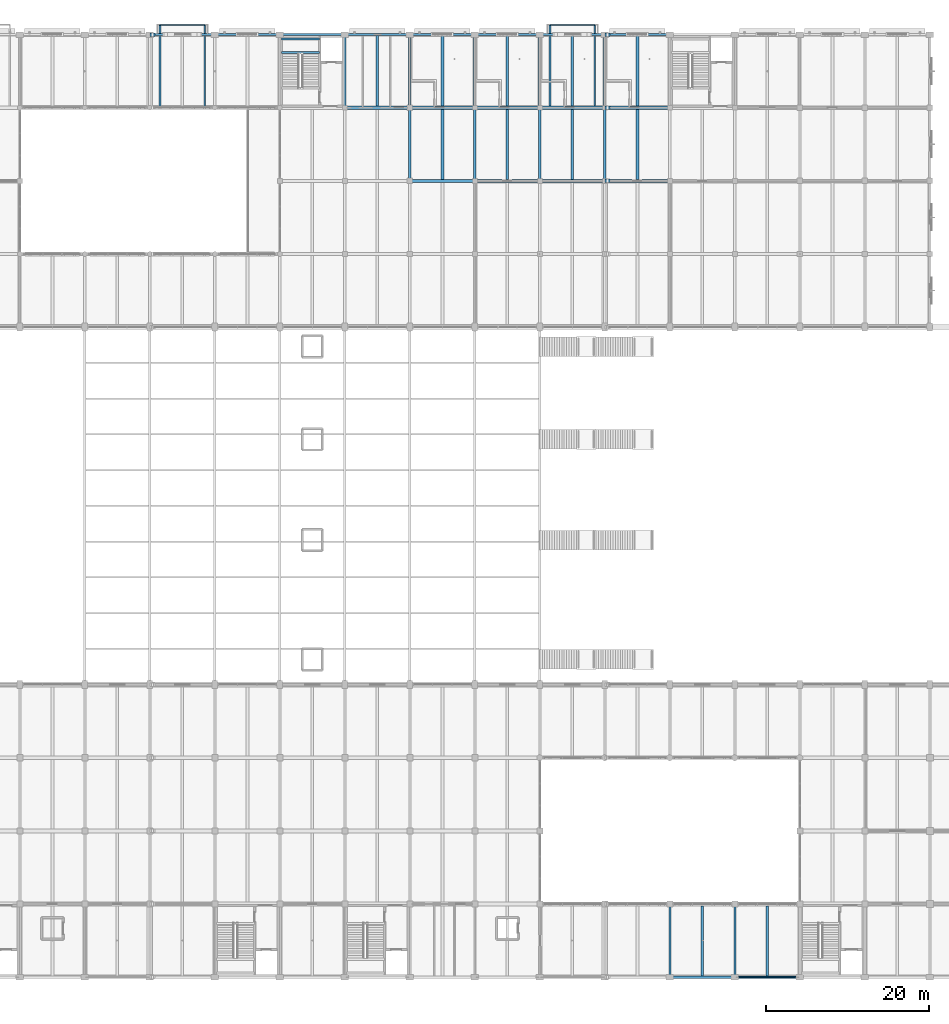
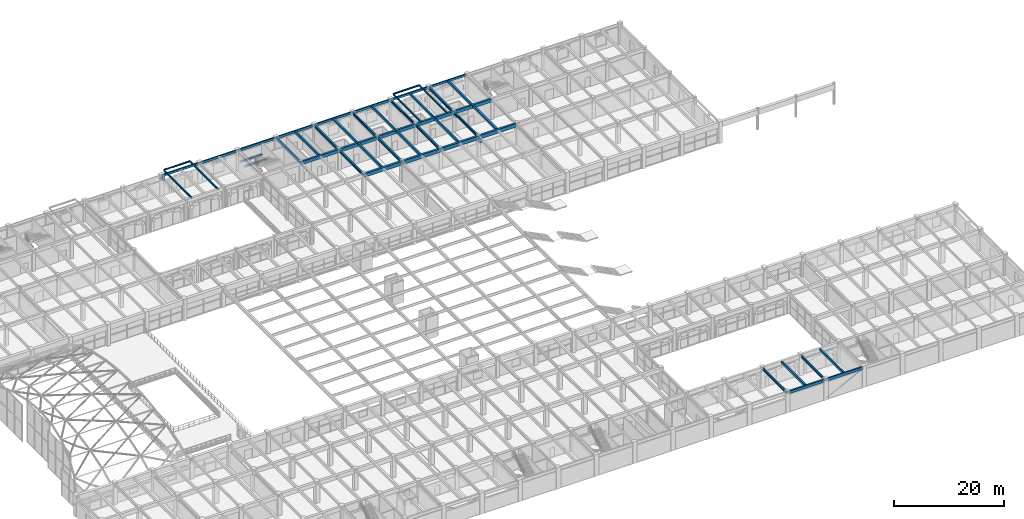
# One storey, part 72 of 144: 53 beams, 1 member.
"""IFC4 building model written with IfcOpenShell, lengths in metres."""

from ifc_helpers import new_model, si_unit, direction, frame, origin, origin_2d, place, context, subcontext, project, spatial, rectangle, hollow_circle, i_section, extrude, material, material_profile, profile_set, type_object, element, save


model = new_model("IFC4")

# Units and contexts
model_context = context("Model", 3, precision=1e-05, world=origin(), true_north=direction((0.0, 1.0)))
body_context = subcontext(model_context, "Body", "Model", "MODEL_VIEW")
ifc_project = project(units=[si_unit("LENGTHUNIT", "METRE"), si_unit("AREAUNIT", "SQUARE_METRE"), si_unit("VOLUMEUNIT", "CUBIC_METRE"), si_unit("PLANEANGLEUNIT", "RADIAN"), si_unit("MASSUNIT", "GRAM", prefix="KILO")], contexts=[model_context])

# Site, building, storey
site_placement = place(None, origin())
site = spatial("IfcSite", under=ifc_project, at=site_placement, CompositionType="ELEMENT")
building_placement = place(site_placement, origin())
building = spatial("IfcBuilding", under=site, at=building_placement, Name="Varnabhumi Central Station", CompositionType="ELEMENT")
storey_placement = place(building_placement, frame((0.0, 0.0, 4.800048828125)))
storey = spatial("IfcBuildingStorey", under=building, at=storey_placement, Name="L01", CompositionType="ELEMENT", Elevation=4.800048828125)

# Beams
ifc_material_1 = material(Name="Structural steel E350", Category="steel")
ifc_material_profile_1 = material_profile(ifc_material_1, i_section(OverallWidth=0.125, OverallDepth=0.25, WebThickness=0.0068359375, FlangeThickness=0.012451171875, FilletRadius=0.012939453125, at=origin_2d()), Name="Structural steel E350", Category="steel")
ifc_profile_set_1 = profile_set([ifc_material_profile_1], Name="Structural steel E350")
beam_type_1 = type_object("IfcBeamType", Name="BM-PUR-ISMB250", PredefinedType="JOIST", material=ifc_profile_set_1)
for number, where, z_axis, x_axis, name in (
    (1, (65.25, 117.219970703125, 4.425048828125), (1.0, 0.0, 0.0), (0.0, 1.0, 0.0), "Spanish Balcony Fascia Beam L02-10"),
    (2, (113.25, 117.219970703125, 4.425048828125), (1.0, 0.0, 0.0), (0.0, 1.0, 0.0), "Spanish Balcony Fascia Beam L02-11"),
):
    element("IfcBeam", number, at=place(storey_placement, frame(where, z_axis=z_axis, x_axis=x_axis)), inside=storey, type_object=beam_type_1, Name=name, PredefinedType="JOIST", context=body_context, shape_type="SweptSolid", body=[
        extrude(i_section(OverallWidth=0.125, OverallDepth=0.25, WebThickness=0.0068359375, FlangeThickness=0.012451171875, FilletRadius=0.012939453125, at=origin_2d()), origin(), (0.0, 0.0, 1.0), 5.5),
    ])
ifc_material_2 = material(Name="Concrete M35", Category="concrete")
ifc_material_profile_2 = material_profile(ifc_material_2, rectangle(XDim=0.25, YDim=0.35009765625, at=origin_2d()), Name="Concrete M35", Category="concrete")
ifc_profile_set_2 = profile_set([ifc_material_profile_2], Name="Concrete M35")
beam_type_2 = type_object("IfcBeamType", Name="BM-RC-250x350", PredefinedType="LINTEL", material=ifc_profile_set_2)
for number, where, z_axis, x_axis, name in (
    (3, (80.179931640625, 113.794921875, 2.044921875), (1.0, 0.0, 0.0), (0.0, 1.0, 0.0), "ST-N2 L01 Half Landing Support Beam 1"),
    (4, (80.179931640625, 115.4599609375, 2.044921875), (1.0, 0.0, 0.0), (0.0, 1.0, 0.0), "ST-N2 L01 Half Landing Support Beam 2"),
):
    element("IfcBeam", number, at=place(storey_placement, frame(where, z_axis=z_axis, x_axis=x_axis)), inside=storey, type_object=beam_type_2, Name=name, PredefinedType="LINTEL", context=body_context, shape_type="SweptSolid", body=[
        extrude(rectangle(XDim=0.25, YDim=0.35009765625, at=origin_2d()), origin(), (0.0, 0.0, 1.0), 4.719970703125),
    ])
ifc_material_3 = material(Name="Concrete M40", Category="concrete")
ifc_material_profile_3 = material_profile(ifc_material_3, rectangle(XDim=0.25, YDim=0.5, at=origin_2d()), Name="Concrete M40", Category="concrete")
ifc_profile_set_3 = profile_set([ifc_material_profile_3], Name="Concrete M40")
beam_type_3 = type_object("IfcBeamType", Name="BM-RC-250x500", PredefinedType="SPANDREL", material=ifc_profile_set_3)
for number, where, z_axis, x_axis, name in (
    (5, (64.10009765625, 116.0, 4.300048828125), (1.0, 0.0, 0.0), (0.0, 1.0, 0.0), "Beam L01-P:9-10"),
    (6, (72.10009765625, 116.0, 4.300048828125), (1.0, 0.0, 0.0), (0.0, 1.0, 0.0), "Beam L01-P:10-11"),
    (7, (80.10009765625, 116.0, 4.300048828125), (1.0, 0.0, 0.0), (0.0, 1.0, 0.0), "Beam L01-P:11-12"),
    (8, (88.10009765625, 116.0, 4.300048828125), (1.0, 0.0, 0.0), (0.0, 1.0, 0.0), "Beam L01-P:12-13"),
    (9, (96.10009765625, 116.0, 4.300048828125), (1.0, 0.0, 0.0), (0.0, 1.0, 0.0), "Beam L01-P:13-14"),
    (10, (104.10009765625, 116.0, 4.300048828125), (1.0, 0.0, 0.0), (0.0, 1.0, 0.0), "Beam L01-P:14-15"),
    (11, (112.10009765625, 116.0, 4.300048828125), (1.0, 0.0, 0.0), (0.0, 1.0, 0.0), "Beam L01-P:15-16"),
    (12, (120.10009765625, 116.0, 4.300048828125), (1.0, 0.0, 0.0), (0.0, 1.0, 0.0), "Beam L01-P:16-17"),
):
    element("IfcBeam", number, at=place(storey_placement, frame(where, z_axis=z_axis, x_axis=x_axis)), inside=storey, type_object=beam_type_3, Name=name, PredefinedType="SPANDREL", context=body_context, shape_type="SweptSolid", body=[
        extrude(rectangle(XDim=0.25, YDim=0.5, at=origin_2d()), origin(), (0.0, 0.0, 1.0), 7.7998046875),
    ])
ifc_material_profile_4 = material_profile(ifc_material_3, rectangle(XDim=0.300048828125, YDim=0.5, at=origin_2d()), Name="Concrete M40", Category="concrete")
ifc_profile_set_4 = profile_set([ifc_material_profile_4], Name="Concrete M40")
beam_type_4 = type_object("IfcBeamType", Name="BM-RC-300x500", PredefinedType="JOIST", material=ifc_profile_set_4)
beam_1_placement = place(storey_placement, frame((140.0, 0.14990234375, 4.300048828125), z_axis=(0.0, 1.0, 0.0), x_axis=(-1.0, 0.0, 0.0)))
element("IfcBeam", 13, at=beam_1_placement, inside=storey, type_object=beam_type_4, Name="Secondary Joist L01-18/19:A-B", PredefinedType="JOIST", context=body_context, shape_type="SweptSolid", body=[
    extrude(rectangle(XDim=0.300048828125, YDim=0.5, at=origin_2d()), origin(), (0.0, 0.0, 1.0), 8.625),
])
beam_2_placement = place(storey_placement, frame((116.0, 98.199951171875, 4.300048828125), z_axis=(0.0, 1.0, 0.0), x_axis=(-1.0, 0.0, 0.0)))
element("IfcBeam", 14, at=beam_2_placement, inside=storey, type_object=beam_type_4, Name="Secondary Joist L01-15/16:M-N", PredefinedType="JOIST", context=body_context, shape_type="SweptSolid", body=[
    extrude(rectangle(XDim=0.300048828125, YDim=0.5, at=origin_2d()), origin(), (0.0, 0.0, 1.0), 8.60009765625),
])
for number, where, z_axis, x_axis, name in (
    (15, (92.0, 107.199951171875, 4.300048828125), (0.0, 1.0, 0.0), (-1.0, 0.0, 0.0), "Secondary Joist L01-12/13:N-P"),
    (16, (116.0, 107.199951171875, 4.300048828125), (0.0, 1.0, 0.0), (-1.0, 0.0, 0.0), "Secondary Joist L01-15/16:N-P"),
):
    element("IfcBeam", number, at=place(storey_placement, frame(where, z_axis=z_axis, x_axis=x_axis)), inside=storey, type_object=beam_type_4, Name=name, PredefinedType="JOIST", context=body_context, shape_type="SweptSolid", body=[
        extrude(rectangle(XDim=0.300048828125, YDim=0.5, at=origin_2d()), origin(), (0.0, 0.0, 1.0), 8.675048828125),
    ])
ifc_material_profile_5 = material_profile(ifc_material_3, rectangle(XDim=0.300048828125, YDim=0.550048828125, at=origin_2d()), Name="Concrete M40", Category="concrete")
ifc_profile_set_5 = profile_set([ifc_material_profile_5], Name="Concrete M40")
beam_type_5 = type_object("IfcBeamType", Name="BM-RC-300x550", PredefinedType="JOIST", material=ifc_profile_set_5)
beam_3_placement = place(storey_placement, frame((132.0, 0.14990234375, 4.27490234375), z_axis=(0.0, 1.0, 0.0), x_axis=(-1.0, 0.0, 0.0)))
element("IfcBeam", 17, at=beam_3_placement, inside=storey, type_object=beam_type_5, Name="Secondary Joist L01-17/18:A-B", PredefinedType="JOIST", context=body_context, shape_type="SweptSolid", body=[
    extrude(rectangle(XDim=0.300048828125, YDim=0.550048828125, at=origin_2d()), origin(), (0.0, 0.0, 1.0), 8.625),
])
beam_4_placement = place(storey_placement, frame((108.0, 98.199951171875, 4.27490234375), z_axis=(0.0, 1.0, 0.0), x_axis=(-1.0, 0.0, 0.0)))
element("IfcBeam", 18, at=beam_4_placement, inside=storey, type_object=beam_type_5, Name="Secondary Joist L01-14/15:M-N", PredefinedType="JOIST", context=body_context, shape_type="SweptSolid", body=[
    extrude(rectangle(XDim=0.300048828125, YDim=0.550048828125, at=origin_2d()), origin(), (0.0, 0.0, 1.0), 8.60009765625),
])
beam_5_placement = place(storey_placement, frame((108.0, 107.199951171875, 4.27490234375), z_axis=(0.0, 1.0, 0.0), x_axis=(-1.0, 0.0, 0.0)))
element("IfcBeam", 19, at=beam_5_placement, inside=storey, type_object=beam_type_5, Name="Secondary Joist L01-14/15:N-P", PredefinedType="JOIST", context=body_context, shape_type="SweptSolid", body=[
    extrude(rectangle(XDim=0.300048828125, YDim=0.550048828125, at=origin_2d()), origin(), (0.0, 0.0, 1.0), 8.675048828125),
])
ifc_material_profile_6 = material_profile(ifc_material_3, rectangle(XDim=0.300048828125, YDim=0.60009765625, at=origin_2d()), Name="Concrete M40", Category="concrete")
ifc_profile_set_6 = profile_set([ifc_material_profile_6], Name="Concrete M40")
beam_type_6 = type_object("IfcBeamType", Name="BM-RC-300x600", PredefinedType="SPANDREL", material=ifc_profile_set_6)
for number, where, z_axis, x_axis, name in (
    (20, (128.10009765625, 0.0, 4.25), (1.0, 0.0, 0.0), (0.0, 1.0, 0.0), "Beam L01-A:17-18"),
    (21, (136.10009765625, 0.0, 4.25), (1.0, 0.0, 0.0), (0.0, 1.0, 0.0), "Beam L01-A:18-19"),
):
    element("IfcBeam", number, at=place(storey_placement, frame(where, z_axis=z_axis, x_axis=x_axis)), inside=storey, type_object=beam_type_6, Name=name, PredefinedType="SPANDREL", context=body_context, shape_type="SweptSolid", body=[
        extrude(rectangle(XDim=0.300048828125, YDim=0.60009765625, at=origin_2d()), origin(), (0.0, 0.0, 1.0), 7.7998046875),
    ])
ifc_material_profile_7 = material_profile(ifc_material_3, rectangle(XDim=0.35009765625, YDim=0.5, at=origin_2d()), Name="Concrete M40", Category="concrete")
ifc_profile_set_7 = profile_set([ifc_material_profile_7], Name="Concrete M40")
beam_type_7 = type_object("IfcBeamType", Name="BM-RC-350x500", PredefinedType="JOIST", material=ifc_profile_set_7)
for number, where, z_axis, x_axis, name in (
    (22, (100.0, 98.199951171875, 4.300048828125), (0.0, 1.0, 0.0), (-1.0, 0.0, 0.0), "Secondary Joist L01-13/14:M-N"),
    (23, (124.0, 98.199951171875, 4.300048828125), (0.0, 1.0, 0.0), (-1.0, 0.0, 0.0), "Secondary Joist L01-16/17:M-N"),
):
    element("IfcBeam", number, at=place(storey_placement, frame(where, z_axis=z_axis, x_axis=x_axis)), inside=storey, type_object=beam_type_7, Name=name, PredefinedType="JOIST", context=body_context, shape_type="SweptSolid", body=[
        extrude(rectangle(XDim=0.35009765625, YDim=0.5, at=origin_2d()), origin(), (0.0, 0.0, 1.0), 8.60009765625),
    ])
for number, where, z_axis, x_axis, name in (
    (24, (100.0, 107.199951171875, 4.300048828125), (0.0, 1.0, 0.0), (-1.0, 0.0, 0.0), "Secondary Joist L01-13/14:N-P"),
    (25, (124.0, 107.199951171875, 4.300048828125), (0.0, 1.0, 0.0), (-1.0, 0.0, 0.0), "Secondary Joist L01-16/17:N-P"),
):
    element("IfcBeam", number, at=place(storey_placement, frame(where, z_axis=z_axis, x_axis=x_axis)), inside=storey, type_object=beam_type_7, Name=name, PredefinedType="JOIST", context=body_context, shape_type="SweptSolid", body=[
        extrude(rectangle(XDim=0.35009765625, YDim=0.5, at=origin_2d()), origin(), (0.0, 0.0, 1.0), 8.675048828125),
    ])
ifc_material_profile_8 = material_profile(ifc_material_3, rectangle(XDim=0.39990234375, YDim=0.699951171875, at=origin_2d()), Name="Concrete M40", Category="concrete")
ifc_profile_set_8 = profile_set([ifc_material_profile_8], Name="Concrete M40")
beam_type_8 = type_object("IfcBeamType", Name="BM-RC-400x700", PredefinedType="BEAM", material=ifc_profile_set_8)
for number, where, z_axis, x_axis, name in (
    (26, (88.10009765625, 107.0, 4.199951171875), (1.0, 0.0, 0.0), (0.0, 1.0, 0.0), "Beam L01-N:12-13"),
    (27, (96.10009765625, 107.0, 4.199951171875), (1.0, 0.0, 0.0), (0.0, 1.0, 0.0), "Beam L01-N:13-14"),
    (28, (104.10009765625, 107.0, 4.199951171875), (1.0, 0.0, 0.0), (0.0, 1.0, 0.0), "Beam L01-N:14-15"),
    (29, (112.10009765625, 107.0, 4.199951171875), (1.0, 0.0, 0.0), (0.0, 1.0, 0.0), "Beam L01-N:15-16"),
    (30, (120.10009765625, 107.0, 4.199951171875), (1.0, 0.0, 0.0), (0.0, 1.0, 0.0), "Beam L01-N:16-17"),
):
    element("IfcBeam", number, at=place(storey_placement, frame(where, z_axis=z_axis, x_axis=x_axis)), inside=storey, type_object=beam_type_8, Name=name, PredefinedType="BEAM", context=body_context, shape_type="SweptSolid", body=[
        extrude(rectangle(XDim=0.39990234375, YDim=0.699951171875, at=origin_2d()), origin(), (0.0, 0.0, 1.0), 7.7998046875),
    ])
ifc_material_profile_9 = material_profile(ifc_material_3, rectangle(XDim=0.39990234375, YDim=0.800048828125, at=origin_2d()), Name="Concrete M40", Category="concrete")
ifc_profile_set_9 = profile_set([ifc_material_profile_9], Name="Concrete M40")
beam_type_9 = type_object("IfcBeamType", Name="BM-RC-400x800", PredefinedType="BEAM", material=ifc_profile_set_9)
for number, where, z_axis, x_axis, name in (
    (31, (96.10009765625, 98.0, 4.14990234375), (1.0, 0.0, 0.0), (0.0, 1.0, 0.0), "Beam L01-M:13-14"),
    (32, (104.10009765625, 98.0, 4.14990234375), (1.0, 0.0, 0.0), (0.0, 1.0, 0.0), "Beam L01-M:14-15"),
    (33, (112.10009765625, 98.0, 4.14990234375), (1.0, 0.0, 0.0), (0.0, 1.0, 0.0), "Beam L01-M:15-16"),
    (34, (120.10009765625, 98.0, 4.14990234375), (1.0, 0.0, 0.0), (0.0, 1.0, 0.0), "Beam L01-M:16-17"),
):
    element("IfcBeam", number, at=place(storey_placement, frame(where, z_axis=z_axis, x_axis=x_axis)), inside=storey, type_object=beam_type_9, Name=name, PredefinedType="BEAM", context=body_context, shape_type="SweptSolid", body=[
        extrude(rectangle(XDim=0.39990234375, YDim=0.800048828125, at=origin_2d()), origin(), (0.0, 0.0, 1.0), 7.7998046875),
    ])
ifc_material_profile_10 = material_profile(ifc_material_3, rectangle(XDim=0.449951171875, YDim=0.75, at=origin_2d()), Name="Concrete M40", Category="concrete")
ifc_profile_set_10 = profile_set([ifc_material_profile_10], Name="Concrete M40")
beam_type_10 = type_object("IfcBeamType", Name="BM-RC-450x750", PredefinedType="BEAM", material=ifc_profile_set_10)
for number, where, z_axis, x_axis, name in (
    (35, (64.0, 116.0, 3.594970703125), (1.0, 0.0, 0.0), (0.0, 1.0, 0.0), "Movement Joint 650mm Corbel Seat L01-P-9"),
    (36, (120.0, 98.0, 3.294921875), (1.0, 0.0, 0.0), (0.0, 1.0, 0.0), "Movement Joint 650mm Corbel Seat L01-M-16"),
    (37, (120.0, 107.0, 3.39501953125), (1.0, 0.0, 0.0), (0.0, 1.0, 0.0), "Movement Joint 650mm Corbel Seat L01-N-16"),
    (38, (120.0, 116.0, 3.594970703125), (1.0, 0.0, 0.0), (0.0, 1.0, 0.0), "Movement Joint 650mm Corbel Seat L01-P-16"),
):
    element("IfcBeam", number, at=place(storey_placement, frame(where, z_axis=z_axis, x_axis=x_axis)), inside=storey, type_object=beam_type_10, Name=name, PredefinedType="BEAM", context=body_context, shape_type="SweptSolid", body=[
        extrude(rectangle(XDim=0.449951171875, YDim=0.75, at=origin_2d()), origin(), (0.0, 0.0, 1.0), 0.64990234375),
    ])
ifc_material_profile_11 = material_profile(ifc_material_1, i_section(OverallWidth=0.199951171875, OverallDepth=0.35009765625, WebThickness=0.008056640625, FlangeThickness=0.011474609375, FilletRadius=0.011962890625, at=origin_2d()), Name="Structural steel E350", Category="steel")
ifc_profile_set_11 = profile_set([ifc_material_profile_11], Name="Structural steel E350")
beam_type_11 = type_object("IfcBeamType", Name="BM-STL-ISWB350", PredefinedType="JOIST", material=ifc_profile_set_11)
for number, where, z_axis, x_axis, name in (
    (39, (65.25, 107.0, 4.375), (0.0, 1.0, 0.0), (-1.0, 0.0, 0.0), "Spanish Balcony Cantilever Outrigger L02-10-1"),
    (40, (70.75, 107.0, 4.375), (0.0, 1.0, 0.0), (-1.0, 0.0, 0.0), "Spanish Balcony Cantilever Outrigger L02-10-2"),
    (41, (113.25, 107.0, 4.375), (0.0, 1.0, 0.0), (-1.0, 0.0, 0.0), "Spanish Balcony Cantilever Outrigger L02-11-1"),
    (42, (118.75, 107.0, 4.375), (0.0, 1.0, 0.0), (-1.0, 0.0, 0.0), "Spanish Balcony Cantilever Outrigger L02-11-2"),
):
    element("IfcBeam", number, at=place(storey_placement, frame(where, z_axis=z_axis, x_axis=x_axis)), inside=storey, type_object=beam_type_11, Name=name, PredefinedType="JOIST", context=body_context, shape_type="SweptSolid", body=[
        extrude(i_section(OverallWidth=0.199951171875, OverallDepth=0.35009765625, WebThickness=0.008056640625, FlangeThickness=0.011474609375, FilletRadius=0.011962890625, at=origin_2d()), origin(), (0.0, 0.0, 1.0), 10.25),
    ])
ifc_material_profile_12 = material_profile(ifc_material_1, i_section(OverallWidth=0.25, OverallDepth=0.550048828125, WebThickness=0.010498046875, FlangeThickness=0.017578125, FilletRadius=0.01611328125, at=origin_2d()), Name="Structural steel E350", Category="steel")
ifc_profile_set_12 = profile_set([ifc_material_profile_12], Name="Structural steel E350")
beam_type_12 = type_object("IfcBeamType", Name="BM-STL-ISWB550", PredefinedType="BEAM", material=ifc_profile_set_12)
for number, where, z_axis, x_axis, name in (
    (43, (128.0, 0.10009765625, 4.27490234375), (0.0, 1.0, 0.0), (-1.0, 0.0, 0.0), "Beam L01-17:A-B"),
    (44, (136.0, 0.10009765625, 4.27490234375), (0.0, 1.0, 0.0), (-1.0, 0.0, 0.0), "Beam L01-18:A-B"),
):
    element("IfcBeam", number, at=place(storey_placement, frame(where, z_axis=z_axis, x_axis=x_axis)), inside=storey, type_object=beam_type_12, Name=name, PredefinedType="BEAM", context=body_context, shape_type="SweptSolid", body=[
        extrude(i_section(OverallWidth=0.25, OverallDepth=0.550048828125, WebThickness=0.010498046875, FlangeThickness=0.017578125, FilletRadius=0.01611328125, at=origin_2d()), origin(), (0.0, 0.0, 1.0), 8.7998046875),
    ])
ifc_material_profile_13 = material_profile(ifc_material_1, i_section(OverallWidth=0.300048828125, OverallDepth=0.550048828125, WebThickness=0.014892578125, FlangeThickness=0.029052734375, FilletRadius=0.027099609375, at=origin_2d()), Name="Structural steel E350", Category="steel")
ifc_profile_set_13 = profile_set([ifc_material_profile_13], Name="Structural steel E350")
beam_type_13 = type_object("IfcBeamType", Name="BM-STL-WPB550", PredefinedType="BEAM", material=ifc_profile_set_13)
for number, where, z_axis, x_axis, name in (
    (45, (96.0, 98.10009765625, 4.27490234375), (0.0, 1.0, 0.0), (-1.0, 0.0, 0.0), "Beam L01-13:M-N"),
    (46, (104.0, 98.10009765625, 4.27490234375), (0.0, 1.0, 0.0), (-1.0, 0.0, 0.0), "Beam L01-14:M-N"),
    (47, (112.0, 98.10009765625, 4.27490234375), (0.0, 1.0, 0.0), (-1.0, 0.0, 0.0), "Beam L01-15:M-N"),
    (48, (120.0, 98.10009765625, 4.27490234375), (0.0, 1.0, 0.0), (-1.0, 0.0, 0.0), "Beam L01-16:M-N"),
    (49, (88.0, 107.10009765625, 4.27490234375), (0.0, 1.0, 0.0), (-1.0, 0.0, 0.0), "Beam L01-12:N-P"),
    (50, (96.0, 107.10009765625, 4.27490234375), (0.0, 1.0, 0.0), (-1.0, 0.0, 0.0), "Beam L01-13:N-P"),
    (51, (104.0, 107.10009765625, 4.27490234375), (0.0, 1.0, 0.0), (-1.0, 0.0, 0.0), "Beam L01-14:N-P"),
    (52, (112.0, 107.10009765625, 4.27490234375), (0.0, 1.0, 0.0), (-1.0, 0.0, 0.0), "Beam L01-15:N-P"),
    (53, (120.0, 107.10009765625, 4.27490234375), (0.0, 1.0, 0.0), (-1.0, 0.0, 0.0), "Beam L01-16:N-P"),
):
    element("IfcBeam", number, at=place(storey_placement, frame(where, z_axis=z_axis, x_axis=x_axis)), inside=storey, type_object=beam_type_13, Name=name, PredefinedType="BEAM", context=body_context, shape_type="SweptSolid", body=[
        extrude(i_section(OverallWidth=0.300048828125, OverallDepth=0.550048828125, WebThickness=0.014892578125, FlangeThickness=0.029052734375, FilletRadius=0.027099609375, at=origin_2d()), origin(), (0.0, 0.0, 1.0), 8.7998046875),
    ])

# Member
ifc_material_4 = material(Name="Spiral-strand steel S1570", Category="steel")
ifc_material_profile_14 = material_profile(ifc_material_4, hollow_circle(Radius=0.04443359375, WallThickness=0.010009765625, at=origin_2d()), Name="Spiral-strand steel S1570", Category="steel")
ifc_profile_set_14 = profile_set([ifc_material_profile_14], Name="Spiral-strand steel S1570")
member_type = type_object("IfcMemberType", Name="MBR-CABLE-89", PredefinedType="BRACE", material=ifc_profile_set_14)
member_placement = place(storey_placement, frame((136.320068359375, 0.0, 0.25), z_axis=(0.895884545566, 0.0, 0.444286935455), x_axis=(0.0, 1.0, 0.0)))
element("IfcMember", 54, at=member_placement, inside=storey, type_object=member_type, Name="Lateral Frame Brace WB-15", PredefinedType="BRACE", context=body_context, shape_type="SweptSolid", body=[
    extrude(hollow_circle(Radius=0.04443359375, WallThickness=0.010009765625, at=origin_2d()), origin(), (0.0, 0.0, 1.0), 8.215087890625),
])

save(model, "model.ifc")
